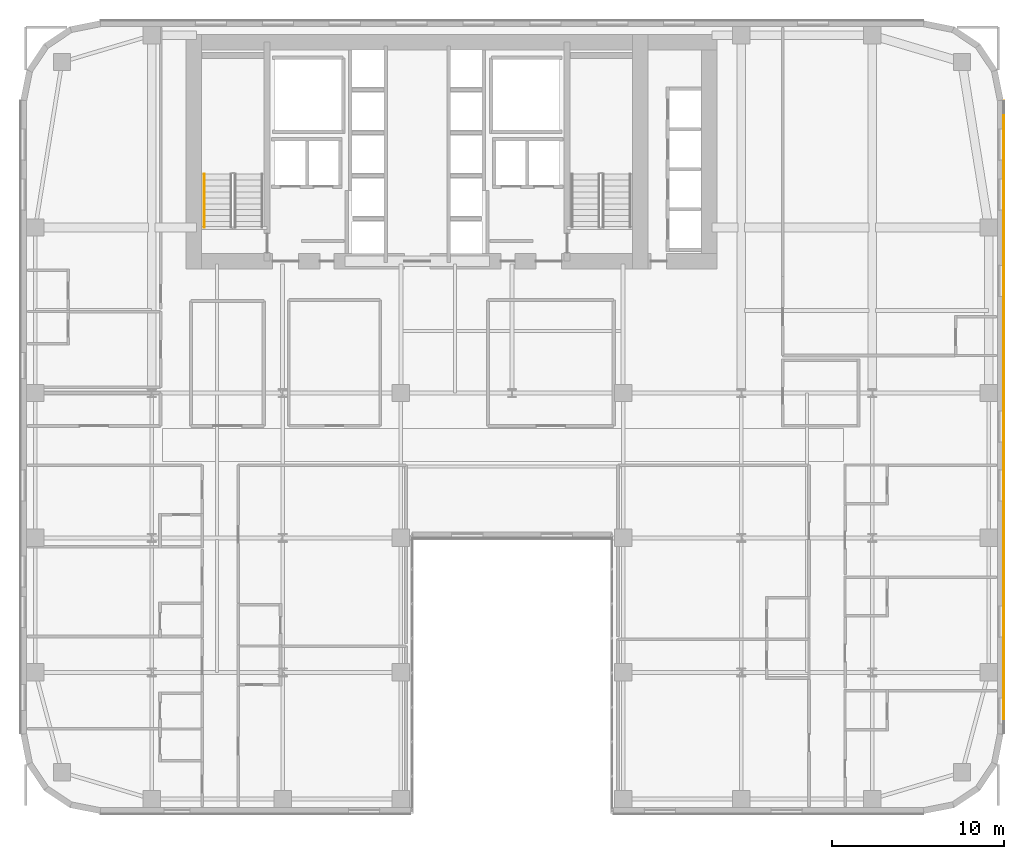
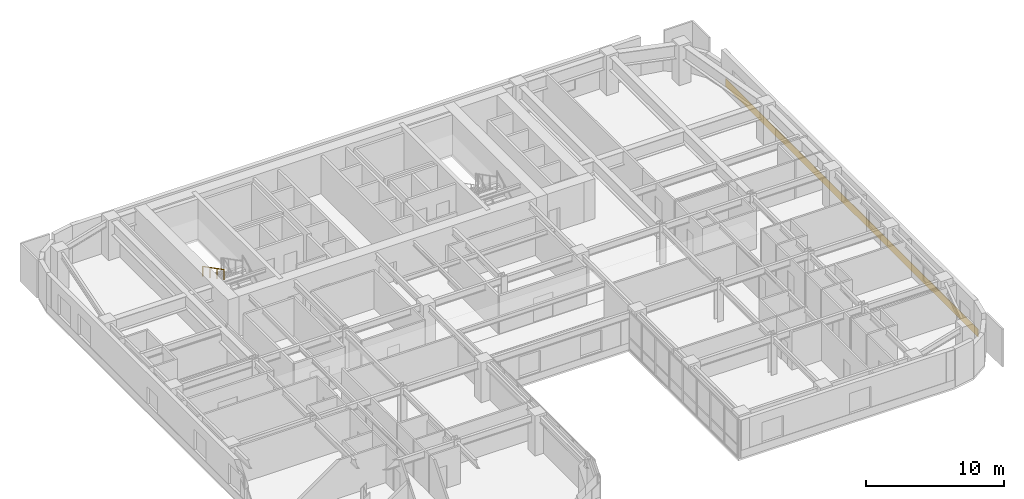
# One storey, part 22 of 25: 1 covering, 1 railing.
"""IFC4 building model written with IfcOpenShell, lengths in metres."""

from ifc_helpers import new_model, si_unit, direction, frame, origin, origin_2d, place, context, subcontext, project, spatial, polyline, circle, outline, extrude, material, layer, layer_set, type_object, element, save


model = new_model("IFC4")

# Units and contexts
model_context = context("Model", 3, precision=1e-05, world=origin(), true_north=direction((0.0, 1.0)))
body_context = subcontext(model_context, "Body", "Model", "MODEL_VIEW")
ifc_project = project(units=[si_unit("LENGTHUNIT", "METRE"), si_unit("AREAUNIT", "SQUARE_METRE"), si_unit("VOLUMEUNIT", "CUBIC_METRE"), si_unit("PLANEANGLEUNIT", "RADIAN"), si_unit("MASSUNIT", "GRAM", prefix="KILO")], contexts=[model_context])

# Site, building, storey
site_placement = place(None, origin())
site = spatial("IfcSite", under=ifc_project, at=site_placement, CompositionType="ELEMENT")
building_placement = place(site_placement, origin())
building = spatial("IfcBuilding", under=site, at=building_placement, Name="Tolvann Quenvar Hotel", CompositionType="ELEMENT")
storey_placement = place(building_placement, frame((0.0, 0.0, 60.39990234375)))
storey = spatial("IfcBuildingStorey", under=building, at=storey_placement, Name="L14", CompositionType="ELEMENT", Elevation=60.39990234375)

# Covering
ifc_material_1 = material(Name="Moulded buff architectural terracotta spandrel cladding", Category="masonry")
ifc_layer = layer(ifc_material_1, 0.0400390625)
ifc_layer_set = layer_set([ifc_layer], Name="Moulded buff architectural terracotta spandrel cladding")
covering_type = type_object("IfcCoveringType", Name="COV_CLAD_TERRA_40", PredefinedType="CLADDING", material=ifc_layer_set)
covering_placement = place(storey_placement, origin())
element("IfcCovering", 1, at=covering_placement, inside=storey, type_object=covering_type, Name="Terracotta Spandrel Cladding (L14-E13)", PredefinedType="CLADDING", context=body_context, shape_type="SweptSolid", body=[
    extrude(outline(polyline([(57.0, 4.6572265625), (57.0, 41.3427734375), (57.0400390625, 41.3427734375), (57.0400390625, 4.6572265625), (57.0, 4.6572265625)])), origin(), (0.0, 0.0, 1.0), 0.7001953125),
])

# Railing
ifc_material_2 = material(Name="Brushed 316 stainless steel balustrade and handrail", Category="steel")
railing_type = type_object("IfcRailingType", Name="HANDRAIL", PredefinedType="HANDRAIL", material=ifc_material_2)
railing_placement = place(storey_placement, frame((10.64990234375, 37.10498046875, 1.95263671875)))
element("IfcRailing", 2, at=railing_placement, inside=storey, type_object=railing_type, Name="L14 ST-C1 stair handrail 2", PredefinedType="HANDRAIL", context=body_context, shape_type="SweptSolid", body=[
    extrude(circle(Radius=0.02392578125, at=origin_2d()), frame((0.0, 0.0, 0.8759765625), z_axis=(0.0, -0.889221982265, 0.45747597342), x_axis=(1.0, 0.0, 0.0)), (0.0, 0.0, 1.0), 3.49169921875),
    extrude(circle(Radius=0.02099609375, at=origin_2d()), origin(), (0.0, 0.0, 1.0), 0.851806640625),
    extrude(circle(Radius=0.02099609375, at=origin_2d()), frame((0.0, -1.034912109375, 0.532470703125)), (0.0, 0.0, 1.0), 0.851806640625),
    extrude(circle(Radius=0.02099609375, at=origin_2d()), frame((0.0, -2.070068359375, 1.06494140625)), (0.0, 0.0, 1.0), 0.851806640625),
    extrude(circle(Radius=0.02099609375, at=origin_2d()), frame((0.0, -3.10498046875, 1.597412109375)), (0.0, 0.0, 1.0), 0.851806640625),
])

save(model, "model.ifc")
